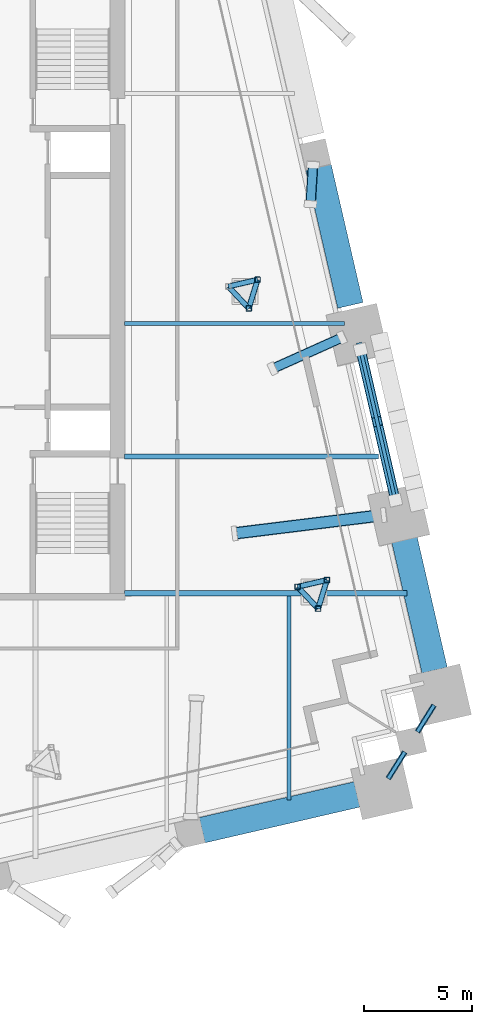
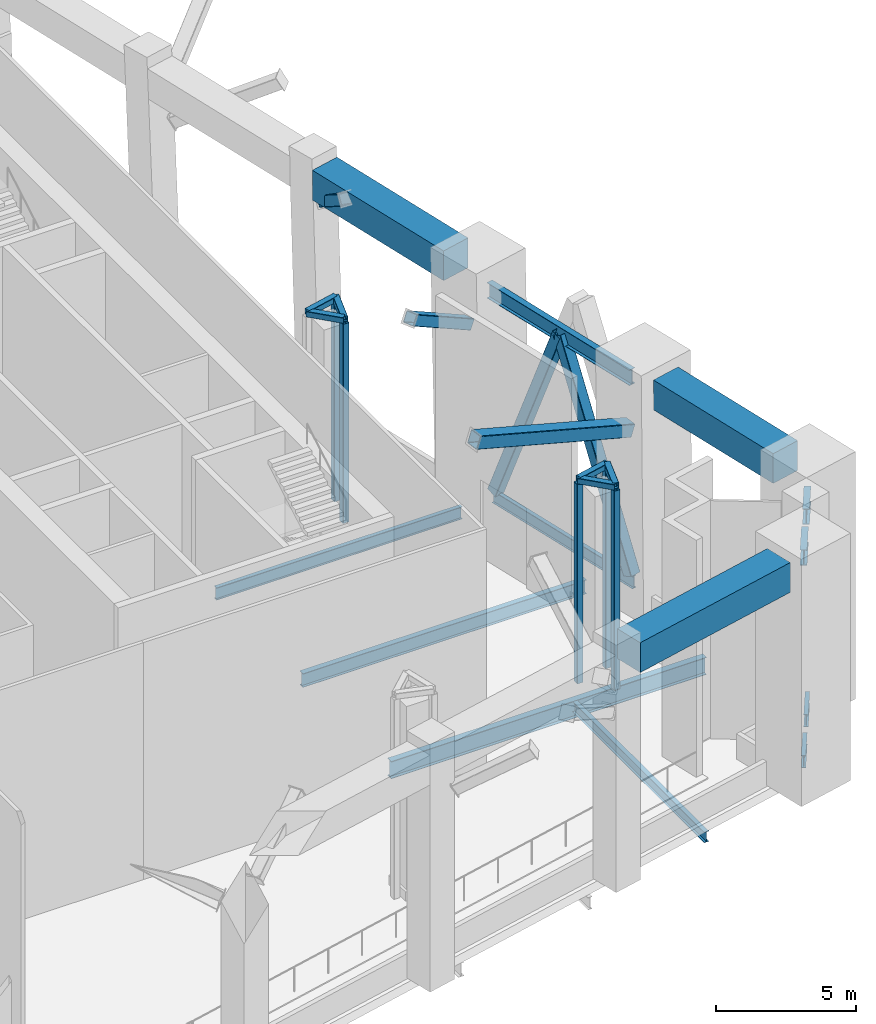
# One storey, part 12 of 25: 16 members, 13 beams.
"""IFC4 building model written with IfcOpenShell, lengths in metres."""

from ifc_helpers import new_model, si_unit, direction, frame, origin, origin_2d, place, context, subcontext, project, spatial, rectangle, hollow_rectangle, i_section, extrude, material, material_profile, profile_set, type_object, element, save


model = new_model("IFC4")

# Units and contexts
model_context = context("Model", 3, precision=1e-05, world=origin(), true_north=direction((0.0, 1.0)))
body_context = subcontext(model_context, "Body", "Model", "MODEL_VIEW")
ifc_project = project(units=[si_unit("LENGTHUNIT", "METRE"), si_unit("AREAUNIT", "SQUARE_METRE"), si_unit("VOLUMEUNIT", "CUBIC_METRE"), si_unit("PLANEANGLEUNIT", "RADIAN"), si_unit("MASSUNIT", "GRAM", prefix="KILO")], contexts=[model_context])

# Site, building, storey
site_placement = place(None, origin())
site = spatial("IfcSite", under=ifc_project, at=site_placement, CompositionType="ELEMENT")
building_placement = place(site_placement, origin())
building = spatial("IfcBuilding", under=site, at=building_placement, Name="Ogive Exchange Tower", CompositionType="ELEMENT")
storey_placement = place(building_placement, frame((0.0, 0.0, 226.199951171875)))
storey = spatial("IfcBuildingStorey", under=building, at=storey_placement, Name="L50", CompositionType="ELEMENT", Elevation=226.199951171875)

# Beams
ifc_material_1 = material(Name="Steel ASTM A992 Gr50", Category="steel")
ifc_material_profile_1 = material_profile(ifc_material_1, i_section(OverallWidth=0.1669921875, OverallDepth=0.535888671875, WebThickness=0.01025390625, FlangeThickness=0.0166015625, at=origin_2d()), Name="W530x85")
ifc_profile_set_1 = profile_set([ifc_material_profile_1], Name="Steel ASTM A992 Gr50")
beam_type_1 = type_object("IfcBeamType", Name="Belt truss bottom chord W530x85", PredefinedType="BEAM", material=ifc_profile_set_1)
for number, where, z_axis, x_axis, name in (
    (1, (33.842041015625, -11.001708984375, 0.400146484375), (0.529877740036, 0.848074041941, 0.0), (-0.848074041941, 0.529877740036, 0.0), "Belt truss bottom chord 7"),
    (2, (35.19091796875, -8.843017578125, 0.400146484375), (0.529877740036, 0.848074041941, 0.0), (-0.848074041941, 0.529877740036, 0.0), "Belt truss bottom chord 8"),
):
    element("IfcBeam", number, at=place(storey_placement, frame(where, z_axis=z_axis, x_axis=x_axis)), inside=storey, type_object=beam_type_1, Name=name, PredefinedType="BEAM", context=body_context, shape_type="SweptSolid", body=[
        extrude(i_section(OverallWidth=0.1669921875, OverallDepth=0.535888671875, WebThickness=0.01025390625, FlangeThickness=0.0166015625, at=origin_2d()), origin(), (0.0, 0.0, 1.0), 1.448486328125),
    ])
beam_1_placement = place(storey_placement, frame((34.199462890625, 1.7294921875, 0.400146484375), z_axis=(-0.224956248643, 0.974368865572, 0.0), x_axis=(-0.974368865572, -0.224956248643, 0.0)))
element("IfcBeam", 3, at=beam_1_placement, inside=storey, type_object=beam_type_1, Name="Belt truss bottom chord 10", PredefinedType="BEAM", context=body_context, shape_type="SweptSolid", body=[
    extrude(i_section(OverallWidth=0.1669921875, OverallDepth=0.535888671875, WebThickness=0.01025390625, FlangeThickness=0.0166015625, at=origin_2d()), origin(), (0.0, 0.0, 1.0), 7.372314453125),
])

# Members
ifc_material_2 = material(Name="Steel ASTM A1085 Gr A", Category="steel")
ifc_material_profile_2 = material_profile(ifc_material_2, hollow_rectangle(XDim=0.45703125, YDim=0.45703125, WallThickness=0.01904296875, InnerFilletRadius=0.01904296875, OuterFilletRadius=0.0380859375, at=origin_2d()), Name="HSS457.2x457.2x19")
ifc_profile_set_2 = profile_set([ifc_material_profile_2], Name="Steel ASTM A1085 Gr A")
member_type_1 = type_object("IfcMemberType", Name="Belt truss diagonal HSS457.2x457.2x19", PredefinedType="BRACE", material=ifc_profile_set_2)
member_1_placement = place(storey_placement, frame((34.171142578125, 1.851806640625, 0.691162109375), z_axis=(-0.089165918895, 0.386177620739, 0.918104723954), x_axis=(-0.974364650289, -0.224974505814, 0.0)))
element("IfcMember", 4, at=member_1_placement, inside=storey, type_object=member_type_1, Name="Belt truss diagonal 10a", PredefinedType="BRACE", context=body_context, shape_type="SweptSolid", body=[
    extrude(hollow_rectangle(XDim=0.45703125, YDim=0.45703125, WallThickness=0.01904296875, InnerFilletRadius=0.01904296875, OuterFilletRadius=0.0380859375, at=origin_2d()), origin(), (0.0, 0.0, 1.0), 9.388671875),
])
member_2_placement = place(storey_placement, frame((32.56689453125, 8.800537109375, 0.691162109375), z_axis=(0.082749687365, -0.358467853191, 0.929867349394), x_axis=(0.974375508454, 0.224927473923, 0.0)))
element("IfcMember", 5, at=member_2_placement, inside=storey, type_object=member_type_1, Name="Belt truss diagonal 10b", PredefinedType="BRACE", context=body_context, shape_type="SweptSolid", body=[
    extrude(hollow_rectangle(XDim=0.45703125, YDim=0.45703125, WallThickness=0.01904296875, InnerFilletRadius=0.01904296875, OuterFilletRadius=0.0380859375, at=origin_2d()), origin(), (0.0, 0.0, 1.0), 9.27001953125),
])

# Beams
ifc_material_profile_3 = material_profile(ifc_material_1, i_section(OverallWidth=0.25390625, OverallDepth=0.677978515625, WebThickness=0.01171875, FlangeThickness=0.016357421875, at=origin_2d()), Name="W690x125")
ifc_profile_set_3 = profile_set([ifc_material_profile_3], Name="Steel ASTM A992 Gr50")
beam_type_2 = type_object("IfcBeamType", Name="Belt truss top chord W690x125", PredefinedType="BEAM", material=ifc_profile_set_3)
for number, where, z_axis, x_axis, name in (
    (6, (33.842041015625, -11.001708984375, 9.31103515625), (0.529877740036, 0.848074041941, 0.0), (-0.848074041941, 0.529877740036, 0.0), "Belt truss top chord 7"),
    (7, (35.19091796875, -8.843017578125, 9.31103515625), (0.529877740036, 0.848074041941, 0.0), (-0.848074041941, 0.529877740036, 0.0), "Belt truss top chord 8"),
):
    element("IfcBeam", number, at=place(storey_placement, frame(where, z_axis=z_axis, x_axis=x_axis)), inside=storey, type_object=beam_type_2, Name=name, PredefinedType="BEAM", context=body_context, shape_type="SweptSolid", body=[
        extrude(i_section(OverallWidth=0.25390625, OverallDepth=0.677978515625, WebThickness=0.01171875, FlangeThickness=0.016357421875, at=origin_2d()), origin(), (0.0, 0.0, 1.0), 1.448486328125),
    ])
beam_2_placement = place(storey_placement, frame((34.17529296875, 1.833740234375, 9.31103515625), z_axis=(-0.224945332165, 0.974371385837, 0.0), x_axis=(-0.974371385837, -0.224945332165, 0.0)))
element("IfcBeam", 8, at=beam_2_placement, inside=storey, type_object=beam_type_2, Name="Belt truss top chord 10", PredefinedType="BEAM", context=body_context, shape_type="SweptSolid", body=[
    extrude(i_section(OverallWidth=0.25390625, OverallDepth=0.677978515625, WebThickness=0.01171875, FlangeThickness=0.016357421875, at=origin_2d()), origin(), (0.0, 0.0, 1.0), 7.47900390625),
])

# Members
ifc_material_profile_4 = material_profile(ifc_material_2, hollow_rectangle(XDim=0.45703125, YDim=0.45703125, WallThickness=0.01904296875, InnerFilletRadius=0.01904296875, OuterFilletRadius=0.0380859375, at=origin_2d()), Name="HSS457.2x457.2x19")
ifc_profile_set_4 = profile_set([ifc_material_profile_4], Name="Steel ASTM A1085 Gr A")
member_type_2 = type_object("IfcMemberType", Name="Block-change strut HSS457.2x457.2x19", PredefinedType="STRUT", material=ifc_profile_set_4)
member_3_placement = place(storey_placement, frame((31.707275390625, 9.357421875, 7.97607421875), z_axis=(-0.775381553448, -0.348025063927, 0.52693643018), x_axis=(0.409487162567, -0.912315879338, 0.0)))
element("IfcMember", 9, at=member_3_placement, inside=storey, type_object=member_type_2, Name="Block-change strut 11", PredefinedType="STRUT", context=body_context, shape_type="SweptSolid", body=[
    extrude(hollow_rectangle(XDim=0.45703125, YDim=0.45703125, WallThickness=0.01904296875, InnerFilletRadius=0.01904296875, OuterFilletRadius=0.0380859375, at=origin_2d()), origin(), (0.0, 0.0, 1.0), 4.111572265625),
])
member_4_placement = place(storey_placement, frame((30.3720703125, 17.3251953125, 8.97265625), z_axis=(-0.054298674722, -0.834785087428, 0.5478918796), x_axis=(0.997891256855, -0.064907930891, 0.0)))
element("IfcMember", 10, at=member_4_placement, inside=storey, type_object=member_type_2, Name="Block-change strut 12", PredefinedType="STRUT", context=body_context, shape_type="SweptSolid", body=[
    extrude(hollow_rectangle(XDim=0.45703125, YDim=0.45703125, WallThickness=0.01904296875, InnerFilletRadius=0.01904296875, OuterFilletRadius=0.0380859375, at=origin_2d()), origin(), (0.0, 0.0, 1.0), 2.14013671875),
])
ifc_material_profile_5 = material_profile(ifc_material_2, hollow_rectangle(XDim=0.55908203125, YDim=0.55908203125, WallThickness=0.022216796875, InnerFilletRadius=0.022216796875, OuterFilletRadius=0.04443359375, at=origin_2d()), Name="HSS558.8x558.8x22.2")
ifc_profile_set_5 = profile_set([ifc_material_profile_5], Name="Steel ASTM A1085 Gr A")
member_type_3 = type_object("IfcMemberType", Name="Block-change strut HSS558.8x558.8x22.2", PredefinedType="STRUT", material=ifc_profile_set_5)
member_5_placement = place(storey_placement, frame((33.63232421875, 1.166015625, 7.69384765625), z_axis=(-0.938315993668, -0.115583121192, 0.325888996627), x_axis=(0.122257391852, -0.99249842828, 0.0)))
element("IfcMember", 11, at=member_5_placement, inside=storey, type_object=member_type_3, Name="Block-change strut 10", PredefinedType="STRUT", context=body_context, shape_type="SweptSolid", body=[
    extrude(hollow_rectangle(XDim=0.55908203125, YDim=0.55908203125, WallThickness=0.022216796875, InnerFilletRadius=0.022216796875, OuterFilletRadius=0.04443359375, at=origin_2d()), origin(), (0.0, 0.0, 1.0), 7.314697265625),
])

# Beams
ifc_material_profile_6 = material_profile(ifc_material_1, i_section(OverallWidth=0.19091796875, OverallDepth=0.45703125, WebThickness=0.009033203125, FlangeThickness=0.014404296875, at=origin_2d()), Name="W460x74")
ifc_profile_set_6 = profile_set([ifc_material_profile_6], Name="Steel ASTM A992 Gr50")
beam_type_3 = type_object("IfcBeamType", Name="Floor beam W460x74", PredefinedType="JOIST", material=ifc_profile_set_6)
beam_3_placement = place(storey_placement, frame((29.262451171875, -11.9951171875, -0.678466796875), z_axis=(0.0, 1.0, 0.0), x_axis=(-1.0, 0.0, 0.0)))
element("IfcBeam", 12, at=beam_3_placement, inside=storey, type_object=beam_type_3, Name="Floor beam", PredefinedType="JOIST", context=body_context, shape_type="SweptSolid", body=[
    extrude(i_section(OverallWidth=0.19091796875, OverallDepth=0.45703125, WebThickness=0.009033203125, FlangeThickness=0.014404296875, at=origin_2d()), origin(), (0.0, 0.0, 1.0), 9.41650390625),
])
ifc_material_profile_7 = material_profile(ifc_material_1, i_section(OverallWidth=0.1669921875, OverallDepth=0.535888671875, WebThickness=0.01025390625, FlangeThickness=0.0166015625, at=origin_2d()), Name="W530x85")
ifc_profile_set_7 = profile_set([ifc_material_profile_7], Name="Steel ASTM A992 Gr50")
beam_type_4 = type_object("IfcBeamType", Name="Floor beam W530x85", PredefinedType="JOIST", material=ifc_profile_set_7)
beam_4_placement = place(storey_placement, frame((21.679931640625, 10.006591796875, -0.718017578125), z_axis=(1.0, 0.0, 0.0), x_axis=(0.0, 1.0, 0.0)))
element("IfcBeam", 13, at=beam_4_placement, inside=storey, type_object=beam_type_4, Name="Floor beam", PredefinedType="JOIST", context=body_context, shape_type="SweptSolid", body=[
    extrude(i_section(OverallWidth=0.1669921875, OverallDepth=0.535888671875, WebThickness=0.01025390625, FlangeThickness=0.0166015625, at=origin_2d()), origin(), (0.0, 0.0, 1.0), 10.146728515625),
])
ifc_material_profile_8 = material_profile(ifc_material_1, i_section(OverallWidth=0.22802734375, OverallDepth=0.60205078125, WebThickness=0.010498046875, FlangeThickness=0.014892578125, at=origin_2d()), Name="W610x101")
ifc_profile_set_8 = profile_set([ifc_material_profile_8], Name="Steel ASTM A992 Gr50")
beam_type_5 = type_object("IfcBeamType", Name="Floor beam W610x101", PredefinedType="JOIST", material=ifc_profile_set_8)
beam_5_placement = place(storey_placement, frame((21.679931640625, 3.8583984375, -0.7509765625), z_axis=(1.0, 0.0, 0.0), x_axis=(0.0, 1.0, 0.0)))
element("IfcBeam", 14, at=beam_5_placement, inside=storey, type_object=beam_type_5, Name="Floor beam", PredefinedType="JOIST", context=body_context, shape_type="SweptSolid", body=[
    extrude(i_section(OverallWidth=0.22802734375, OverallDepth=0.60205078125, WebThickness=0.010498046875, FlangeThickness=0.014892578125, at=origin_2d()), origin(), (0.0, 0.0, 1.0), 11.716064453125),
])
ifc_material_profile_9 = material_profile(ifc_material_1, i_section(OverallWidth=0.26708984375, OverallDepth=0.75390625, WebThickness=0.01318359375, FlangeThickness=0.01708984375, at=origin_2d()), Name="W760x147")
ifc_profile_set_9 = profile_set([ifc_material_profile_9], Name="Steel ASTM A992 Gr50")
beam_type_6 = type_object("IfcBeamType", Name="Girder W760x147", PredefinedType="BEAM", material=ifc_profile_set_9)
beam_6_placement = place(storey_placement, frame((21.679931640625, -2.445068359375, -0.826904296875), z_axis=(1.0, 0.0, 0.0), x_axis=(0.0, 1.0, 0.0)))
element("IfcBeam", 15, at=beam_6_placement, inside=storey, type_object=beam_type_6, Name="Header girder", PredefinedType="BEAM", context=body_context, shape_type="SweptSolid", body=[
    extrude(i_section(OverallWidth=0.26708984375, OverallDepth=0.75390625, WebThickness=0.01318359375, FlangeThickness=0.01708984375, at=origin_2d()), origin(), (0.0, 0.0, 1.0), 13.021484375),
])
ifc_material_3 = material(Name="Precast concrete C70/85 (limestone faced)", Category="masonry")
ifc_material_profile_10 = material_profile(ifc_material_3, rectangle(XDim=1.199951171875, YDim=1.300048828125, at=origin_2d()), Name="1200 x 1300")
ifc_profile_set_10 = profile_set([ifc_material_profile_10], Name="Precast concrete C70/85 (limestone faced)")
beam_type_7 = type_object("IfcBeamType", Name="Precast portal header beam 1200 x 1300 C70/85", PredefinedType="BEAM", material=ifc_profile_set_10)
beam_7_placement = place(storey_placement, frame((25.249755859375, -13.383544921875, 9.699951171875), z_axis=(0.974370449655, 0.224949387281, 0.0), x_axis=(-0.224949387281, 0.974370449655, 0.0)))
element("IfcBeam", 16, at=beam_7_placement, inside=storey, type_object=beam_type_7, Name="Slot header beam 6", PredefinedType="BEAM", context=body_context, shape_type="SweptSolid", body=[
    extrude(rectangle(XDim=1.199951171875, YDim=1.300048828125, at=origin_2d()), origin(), (0.0, 0.0, 1.0), 7.340087890625),
])
beam_8_placement = place(storey_placement, frame((35.98388671875, -5.99951171875, 9.699951171875), z_axis=(-0.224953143372, 0.974369582493, 0.0), x_axis=(-0.974369582493, -0.224953143372, 0.0)))
element("IfcBeam", 17, at=beam_8_placement, inside=storey, type_object=beam_type_7, Name="Slot header beam 9", PredefinedType="BEAM", context=body_context, shape_type="SweptSolid", body=[
    extrude(rectangle(XDim=1.199951171875, YDim=1.300048828125, at=origin_2d()), origin(), (0.0, 0.0, 1.0), 6.283935546875),
])
beam_9_placement = place(storey_placement, frame((32.0947265625, 10.84521484375, 9.699951171875), z_axis=(-0.224921670342, 0.97437684815, 0.0), x_axis=(-0.97437684815, -0.224921670342, 0.0)))
element("IfcBeam", 18, at=beam_9_placement, inside=storey, type_object=beam_type_7, Name="Slot header beam 11", PredefinedType="BEAM", context=body_context, shape_type="SweptSolid", body=[
    extrude(rectangle(XDim=1.199951171875, YDim=1.300048828125, at=origin_2d()), origin(), (0.0, 0.0, 1.0), 6.8837890625),
])

# Members
ifc_material_profile_11 = material_profile(ifc_material_2, hollow_rectangle(XDim=0.25390625, YDim=0.25390625, WallThickness=0.0126953125, InnerFilletRadius=0.0126953125, OuterFilletRadius=0.025390625, at=origin_2d()), Name="HSS254x254x12.7")
ifc_profile_set_11 = profile_set([ifc_material_profile_11], Name="Steel ASTM A1085 Gr A")
member_type_4 = type_object("IfcMemberType", Name="Turbine cage mast HSS254x254x12.7", PredefinedType="POST", material=ifc_profile_set_11)
for number, where, z_axis, x_axis, name in (
    (19, (29.662109375, -2.145751953125, 0.0), (0.0, 0.0, 1.0), (1.0, 0.0, 0.0), "Turbine cage mast 03.1"),
    (20, (30.60693359375, -3.1591796875, 0.0), (0.0, 0.0, 1.0), (1.0, 0.0, 0.0), "Turbine cage mast 03.2"),
    (21, (31.01220703125, -1.833984375, 0.0), (0.0, 0.0, 1.0), (1.0, 0.0, 0.0), "Turbine cage mast 03.3"),
    (22, (27.40625, 10.704833984375, 0.0), (0.0, 0.0, 1.0), (1.0, 0.0, 0.0), "Turbine cage mast 04.2"),
    (23, (27.811279296875, 12.02978515625, 0.0), (0.0, 0.0, 1.0), (1.0, 0.0, 0.0), "Turbine cage mast 04.3"),
):
    element("IfcMember", number, at=place(storey_placement, frame(where, z_axis=z_axis, x_axis=x_axis)), inside=storey, type_object=member_type_4, Name=name, PredefinedType="POST", context=body_context, shape_type="SweptSolid", body=[
        extrude(hollow_rectangle(XDim=0.25390625, YDim=0.25390625, WallThickness=0.0126953125, InnerFilletRadius=0.0126953125, OuterFilletRadius=0.025390625, at=origin_2d()), origin(), (0.0, 0.0, 1.0), 8.696044921875),
    ])
ifc_material_profile_12 = material_profile(ifc_material_2, hollow_rectangle(XDim=0.25390625, YDim=0.25390625, WallThickness=0.0126953125, InnerFilletRadius=0.0126953125, OuterFilletRadius=0.025390625, at=origin_2d()), Name="HSS254x254x12.7")
ifc_profile_set_12 = profile_set([ifc_material_profile_12], Name="Steel ASTM A1085 Gr A")
member_type_5 = type_object("IfcMemberType", Name="Turbine cage ring member HSS254x254x12.7", PredefinedType="BRACE", material=ifc_profile_set_12)
member_6_placement = place(storey_placement, frame((29.662109375, -2.145751953125, 8.822998046875), z_axis=(0.681916347912, -0.73143017059, 0.0), x_axis=(0.73143017059, 0.681916347912, 0.0)))
element("IfcMember", 24, at=member_6_placement, inside=storey, type_object=member_type_5, Name="Turbine cage ring 03.1", PredefinedType="BRACE", context=body_context, shape_type="SweptSolid", body=[
    extrude(hollow_rectangle(XDim=0.25390625, YDim=0.25390625, WallThickness=0.0126953125, InnerFilletRadius=0.0126953125, OuterFilletRadius=0.025390625, at=origin_2d()), origin(), (0.0, 0.0, 1.0), 1.385498046875),
])
for number, where, z_axis, x_axis, name in (
    (25, (30.60693359375, -3.1591796875, 8.822998046875), (0.292451272514, 0.956280426028, 0.0), (-0.956280426028, 0.292451272514, 0.0), "Turbine cage ring 03.2"),
    (26, (31.01220703125, -1.833984375, 8.822998046875), (-0.974358520042, -0.225001054267, 0.0), (0.225001054267, -0.974358520042, 0.0), "Turbine cage ring 03.3"),
    (27, (26.461181640625, 11.71826171875, 8.822998046875), (0.682010599268, -0.731342288184, 0.0), (0.731342288184, 0.682010599268, 0.0), "Turbine cage ring 04.1"),
):
    element("IfcMember", number, at=place(storey_placement, frame(where, z_axis=z_axis, x_axis=x_axis)), inside=storey, type_object=member_type_5, Name=name, PredefinedType="BRACE", context=body_context, shape_type="SweptSolid", body=[
        extrude(hollow_rectangle(XDim=0.25390625, YDim=0.25390625, WallThickness=0.0126953125, InnerFilletRadius=0.0126953125, OuterFilletRadius=0.025390625, at=origin_2d()), origin(), (0.0, 0.0, 1.0), 1.3857421875),
    ])
for number, where, z_axis, x_axis, name in (
    (28, (27.40625, 10.704833984375, 8.822998046875), (0.292339408517, 0.956314629308, 0.0), (-0.956314629308, 0.292339408517, 0.0), "Turbine cage ring 04.2"),
    (29, (27.811279296875, 12.02978515625, 8.822998046875), (-0.974397134748, -0.224833769248, 0.0), (0.224833769248, -0.974397134748, 0.0), "Turbine cage ring 04.3"),
):
    element("IfcMember", number, at=place(storey_placement, frame(where, z_axis=z_axis, x_axis=x_axis)), inside=storey, type_object=member_type_5, Name=name, PredefinedType="BRACE", context=body_context, shape_type="SweptSolid", body=[
        extrude(hollow_rectangle(XDim=0.25390625, YDim=0.25390625, WallThickness=0.0126953125, InnerFilletRadius=0.0126953125, OuterFilletRadius=0.025390625, at=origin_2d()), origin(), (0.0, 0.0, 1.0), 1.385498046875),
    ])

save(model, "model.ifc")
